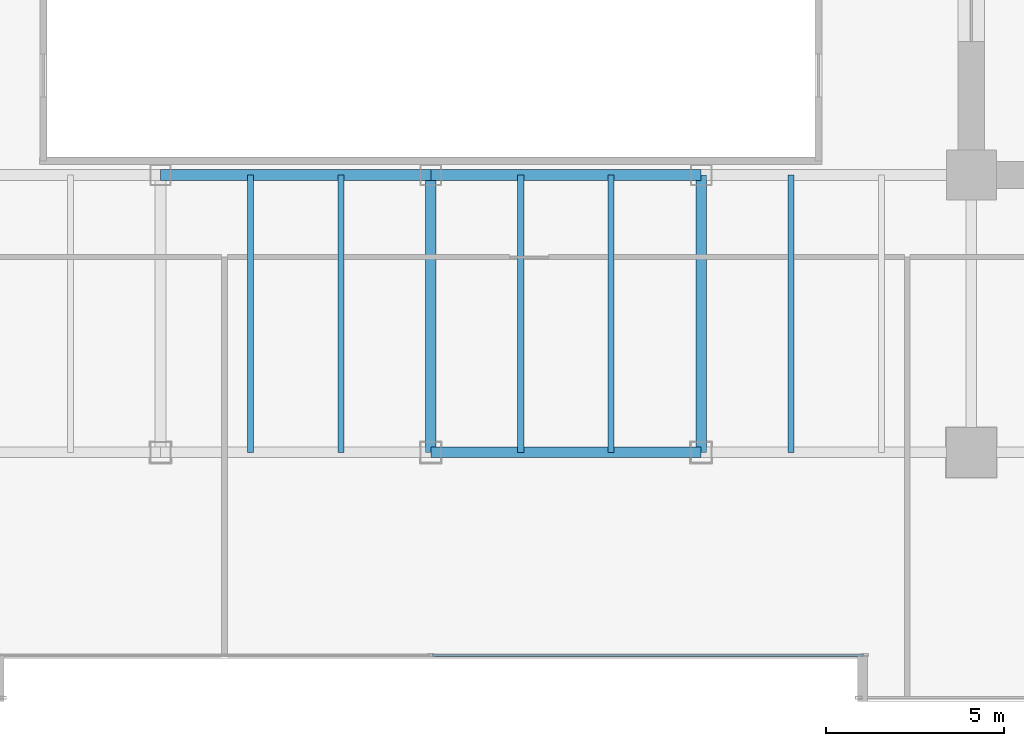
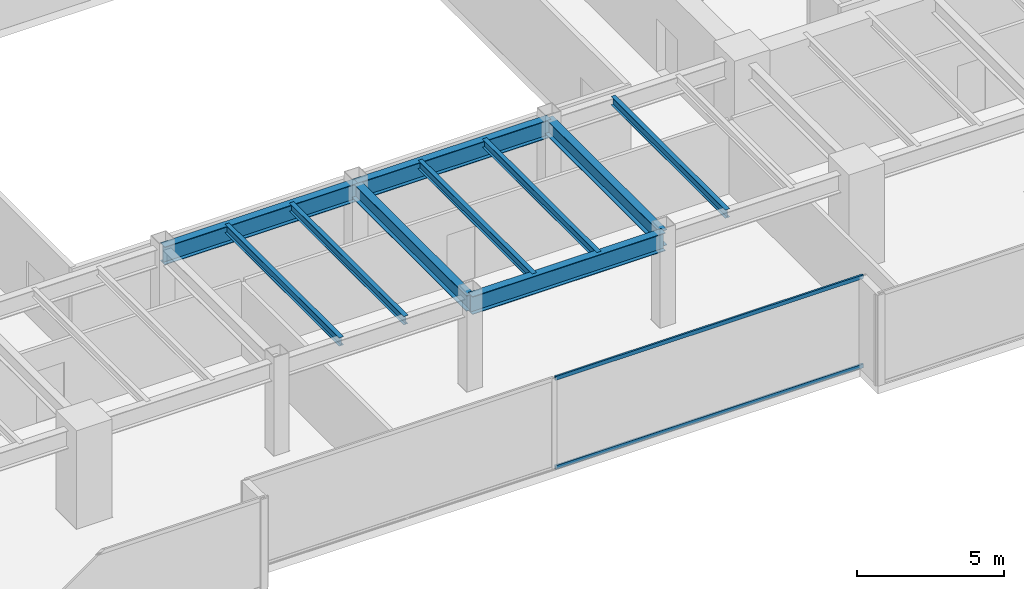
# One storey, part 9 of 37: 10 beams, 2 members, 1 element without a shape of its own.
"""IFC4 building model written with IfcOpenShell, lengths in metres."""

from ifc_helpers import new_model, si_unit, direction, frame, origin, origin_2d, place, context, subcontext, project, spatial, hollow_rectangle, i_section, extrude, source, transform, mapped, material, layer, layer_set, material_profile, profile_set, type_object, type_shapes, element, aggregate, save


model = new_model("IFC4")

# Units and contexts
model_context = context("Model", 3, precision=1e-05, world=origin(), true_north=direction((0.0, 1.0)))
body_context = subcontext(model_context, "Body", "Model", "MODEL_VIEW")
ifc_project = project(units=[si_unit("LENGTHUNIT", "METRE"), si_unit("AREAUNIT", "SQUARE_METRE"), si_unit("VOLUMEUNIT", "CUBIC_METRE"), si_unit("PLANEANGLEUNIT", "RADIAN"), si_unit("MASSUNIT", "GRAM", prefix="KILO")], contexts=[model_context])

# Site, building, storey
site_placement = place(None, origin())
site = spatial("IfcSite", under=ifc_project, at=site_placement, CompositionType="ELEMENT")
building_placement = place(site_placement, origin())
building = spatial("IfcBuilding", under=site, at=building_placement, Name="Haelvirn Gate Laboratories", CompositionType="ELEMENT")
storey_placement = place(building_placement, frame((0.0, 0.0, 78.5)))
storey = spatial("IfcBuildingStorey", under=building, at=storey_placement, Name="L19", CompositionType="ELEMENT", Elevation=78.5)

# Beams
ifc_material_1 = material(Name="Steel SM355", Category="steel")
ifc_material_profile_1 = material_profile(ifc_material_1, i_section(OverallWidth=0.300048828125, OverallDepth=0.75, WebThickness=0.013916015625, FlangeThickness=0.02392578125, at=origin_2d()), Name="H-750x300x14x24")
ifc_profile_set_1 = profile_set([ifc_material_profile_1], Name="Steel SM355")
beam_type_1 = type_object("IfcBeamType", Name="BM-G-750", PredefinedType="BEAM", material=ifc_profile_set_1)
shared_shape_1 = source(origin(), body_context, "Body", "SweptSolid", [
    extrude(i_section(OverallWidth=0.300048828125, OverallDepth=0.75, WebThickness=0.013916015625, FlangeThickness=0.02392578125, at=origin_2d()), origin(), (0.0, 0.0, 1.0), 7.60009765625),
])
for number, where, z_axis, x_axis, name in (
    (1, (37.39990234375, 7.0, 3.405029296875), (1.0, 0.0, 0.0), (0.0, 1.0, 0.0), "L19 Primary Girder Y7.0 (37.4-45.0)"),
    (2, (37.39990234375, 14.800048828125, 3.405029296875), (1.0, 0.0, 0.0), (0.0, 1.0, 0.0), "L19 Primary Girder Y14.8 (37.4-45.0)"),
):
    element("IfcBeam", number, at=place(storey_placement, frame(where, z_axis=z_axis, x_axis=x_axis)), inside=storey, type_object=beam_type_1, Name=name, PredefinedType="BEAM", context=body_context, shape_type="MappedRepresentation", body=[
        mapped(shared_shape_1, transform((0.0, 0.0, 0.0), scale=1.0)),
    ])
shared_shape_2 = source(origin(), body_context, "Body", "SweptSolid", [
    extrude(i_section(OverallWidth=0.300048828125, OverallDepth=0.75, WebThickness=0.013916015625, FlangeThickness=0.02392578125, at=origin_2d()), origin(), (0.0, 0.0, 1.0), 7.599853515625),
])
type_shapes(beam_type_1, [shared_shape_1, shared_shape_2])
beam_placement = place(storey_placement, frame((29.800048828125, 14.800048828125, 3.405029296875), z_axis=(1.0, 0.0, 0.0), x_axis=(0.0, 1.0, 0.0)))
element("IfcBeam", 3, at=beam_placement, inside=storey, type_object=beam_type_1, Name="L19 Primary Girder Y14.8 (29.8-37.4)", PredefinedType="BEAM", context=body_context, shape_type="MappedRepresentation", body=[
    mapped(shared_shape_2, transform((0.0, 0.0, 0.0), scale=1.0)),
])
ifc_material_profile_2 = material_profile(ifc_material_1, i_section(OverallWidth=0.175048828125, OverallDepth=0.35009765625, WebThickness=0.007080078125, FlangeThickness=0.010986328125, at=origin_2d()), Name="H-350x175x7x11")
ifc_profile_set_2 = profile_set([ifc_material_profile_2], Name="Steel SM355")
beam_type_2 = type_object("IfcBeamType", Name="BM-J-350", PredefinedType="JOIST", material=ifc_profile_set_2)
shared_shape_3 = source(origin(), body_context, "Body", "SweptSolid", [
    extrude(i_section(OverallWidth=0.175048828125, OverallDepth=0.35009765625, WebThickness=0.007080078125, FlangeThickness=0.010986328125, at=origin_2d()), origin(), (0.0, 0.0, 1.0), 7.800048828125),
])
type_shapes(beam_type_2, [shared_shape_3])
for number, where, z_axis, x_axis, name in (
    (4, (32.330078125, 7.0, 3.60498046875), (0.0, 1.0, 0.0), (-1.0, 0.0, 0.0), "L19 Composite Lab Joist South X32.33"),
    (5, (34.8701171875, 7.0, 3.60498046875), (0.0, 1.0, 0.0), (-1.0, 0.0, 0.0), "L19 Composite Lab Joist South X34.87"),
    (6, (39.929931640625, 7.0, 3.60498046875), (0.0, 1.0, 0.0), (-1.0, 0.0, 0.0), "L19 Composite Lab Joist South X39.93"),
    (7, (42.469970703125, 7.0, 3.60498046875), (0.0, 1.0, 0.0), (-1.0, 0.0, 0.0), "L19 Composite Lab Joist South X42.47"),
    (8, (47.530029296875, 7.0, 3.60498046875), (0.0, 1.0, 0.0), (-1.0, 0.0, 0.0), "L19 Composite Lab Joist South X47.53"),
):
    element("IfcBeam", number, at=place(storey_placement, frame(where, z_axis=z_axis, x_axis=x_axis)), inside=storey, type_object=beam_type_2, Name=name, PredefinedType="JOIST", context=body_context, shape_type="MappedRepresentation", body=[
        mapped(shared_shape_3, transform((0.0, 0.0, 0.0), scale=1.0)),
    ])
ifc_material_profile_3 = material_profile(ifc_material_1, i_section(OverallWidth=0.300048828125, OverallDepth=0.64990234375, WebThickness=0.012939453125, FlangeThickness=0.02197265625, at=origin_2d()), Name="H-650x300x13x22")
ifc_profile_set_3 = profile_set([ifc_material_profile_3], Name="Steel SM355")
beam_type_3 = type_object("IfcBeamType", Name="BM-G-650", PredefinedType="BEAM", material=ifc_profile_set_3)
shared_shape_4 = source(origin(), body_context, "Body", "SweptSolid", [
    extrude(i_section(OverallWidth=0.300048828125, OverallDepth=0.64990234375, WebThickness=0.012939453125, FlangeThickness=0.02197265625, at=origin_2d()), origin(), (0.0, 0.0, 1.0), 7.800048828125),
])
type_shapes(beam_type_3, [shared_shape_4])
for number, where, z_axis, x_axis, name in (
    (9, (37.39990234375, 7.0, 3.455078125), (0.0, 1.0, 0.0), (-1.0, 0.0, 0.0), "L19 Frame Girder X37.4 (7.0-14.8)"),
    (10, (45.0, 7.0, 3.455078125), (0.0, 1.0, 0.0), (-1.0, 0.0, 0.0), "L19 Frame Girder X45.0 (7.0-14.8)"),
):
    element("IfcBeam", number, at=place(storey_placement, frame(where, z_axis=z_axis, x_axis=x_axis)), inside=storey, type_object=beam_type_3, Name=name, PredefinedType="BEAM", context=body_context, shape_type="MappedRepresentation", body=[
        mapped(shared_shape_4, transform((0.0, 0.0, 0.0), scale=1.0)),
    ])

# Curtain wall, members
ifc_material_2 = material(Name="Anodised bronze unitised aluminium & triple low-E glass", Category="aluminium")
ifc_layer = layer(ifc_material_2, 0.18408203125, Name="CW-SYS-2")
ifc_layer_set = layer_set([ifc_layer], Name="Anodised bronze unitised aluminium & triple low-E glass")
curtain_wall_type = type_object("IfcCurtainWallType", Name="CW-SYS-2", PredefinedType="NOTDEFINED", material=ifc_layer_set)
curtain_wall_placement = place(storey_placement, origin())
curtain_wall = element("IfcCurtainWall", 11, at=curtain_wall_placement, inside=storey, type_object=curtain_wall_type, Name="L19 Unitised Curtain Wall CW-L19-P0-E02-1", PredefinedType="NOTDEFINED")
ifc_material_3 = material(Name="Extruded aluminium 6063-T6 (anodised bronze)", Category="aluminium")
ifc_material_profile_4 = material_profile(ifc_material_3, hollow_rectangle(XDim=0.070068359375, YDim=0.159912109375, WallThickness=0.0048828125, at=origin_2d()), Name="CWT-160x70x5")
ifc_profile_set_4 = profile_set([ifc_material_profile_4], Name="Extruded aluminium 6063-T6 (anodised bronze)")
member_type = type_object("IfcMemberType", Name="CWT-T160", PredefinedType="USERDEFINED", material=ifc_profile_set_4)
shared_shape_5 = source(origin(), body_context, "Body", "SweptSolid", [
    extrude(hollow_rectangle(XDim=0.070068359375, YDim=0.159912109375, WallThickness=0.0048828125, at=origin_2d()), origin(), (0.0, 0.0, 1.0), 12.12744140625),
])
type_shapes(member_type, [shared_shape_5])
member_1_placement = place(storey_placement, frame((37.4375, 1.300048828125, 0.034912109375), z_axis=(1.0, 0.0, 0.0), x_axis=(0.0, 1.0, 0.0)))
member_1 = element("IfcMember", 12, at=member_1_placement, type_object=member_type, Name="CW2 transom 2.1", ObjectType="TRANSOM", PredefinedType="USERDEFINED", context=body_context, shape_type="MappedRepresentation", body=[
    mapped(shared_shape_5, transform((0.0, 0.0, 0.0), scale=1.0)),
])
member_2_placement = place(storey_placement, frame((37.4375, 1.300048828125, 3.7451171875), z_axis=(1.0, 0.0, 0.0), x_axis=(0.0, 1.0, 0.0)))
member_2 = element("IfcMember", 13, at=member_2_placement, type_object=member_type, Name="CW2 transom 2.2", ObjectType="TRANSOM", PredefinedType="USERDEFINED", context=body_context, shape_type="MappedRepresentation", body=[
    mapped(shared_shape_5, transform((0.0, 0.0, 0.0), scale=1.0)),
])
aggregate(curtain_wall, [member_1, member_2])

save(model, "model.ifc")
